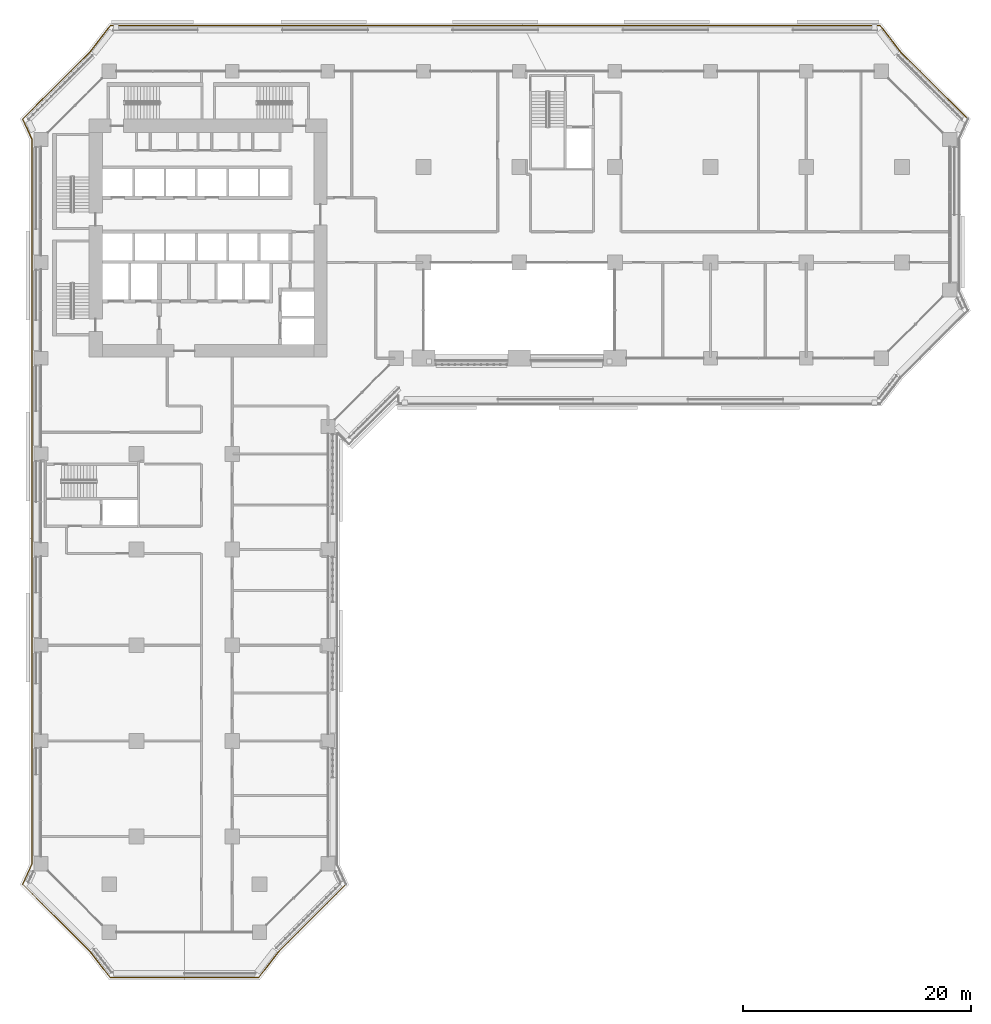
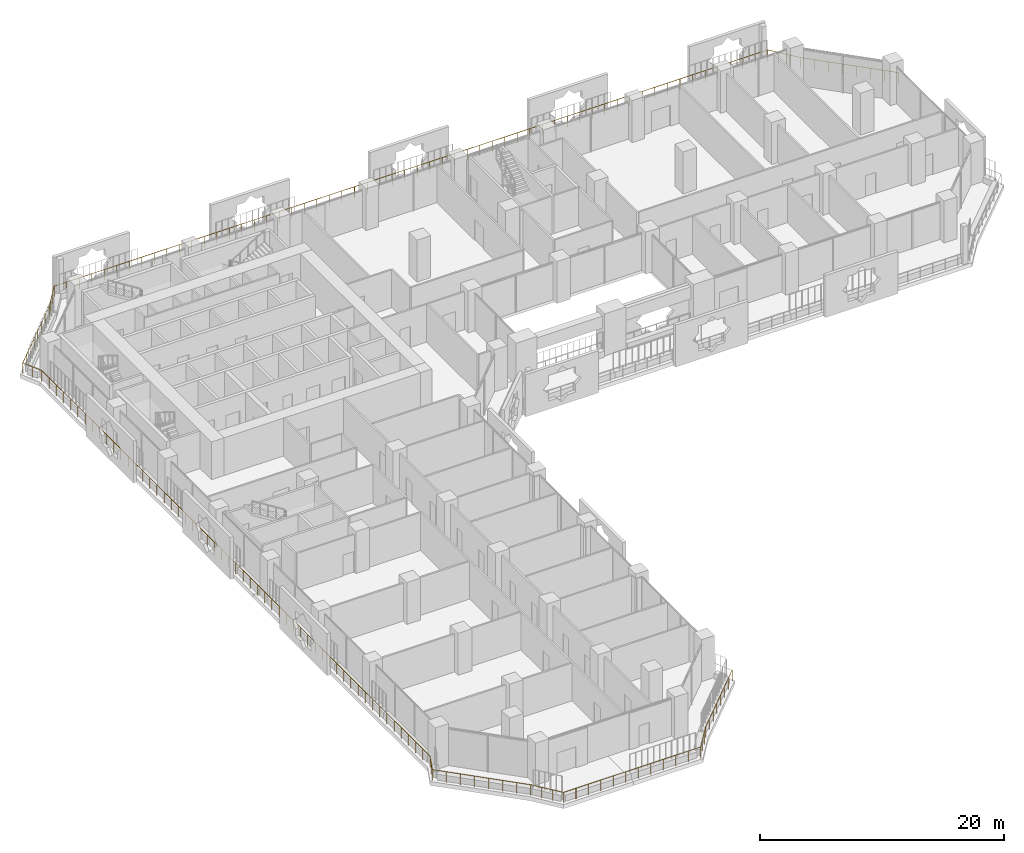
# One storey, part 23 of 28: 1 railing.
"""IFC4 building model written with IfcOpenShell, lengths in metres."""

from ifc_helpers import new_model, si_unit, direction, frame, origin, origin_2d, place, context, subcontext, project, spatial, circle, extrude, material, type_object, element, save


model = new_model("IFC4")

# Units and contexts
model_context = context("Model", 3, precision=1e-05, world=origin(), true_north=direction((0.0, 1.0)))
body_context = subcontext(model_context, "Body", "Model", "MODEL_VIEW")
ifc_project = project(units=[si_unit("LENGTHUNIT", "METRE"), si_unit("AREAUNIT", "SQUARE_METRE"), si_unit("VOLUMEUNIT", "CUBIC_METRE"), si_unit("PLANEANGLEUNIT", "RADIAN"), si_unit("MASSUNIT", "GRAM", prefix="KILO")], contexts=[model_context])

# Site, building, storey
site_placement = place(None, origin())
site = spatial("IfcSite", under=ifc_project, at=site_placement, CompositionType="ELEMENT")
building_placement = place(site_placement, origin())
building = spatial("IfcBuilding", under=site, at=building_placement, Name="Kawkab Arch Medical Tower", CompositionType="ELEMENT")
storey_placement = place(building_placement, frame((0.0, 0.0, 47.60009765625)))
storey = spatial("IfcBuildingStorey", under=building, at=storey_placement, Name="L10", CompositionType="ELEMENT", Elevation=47.60009765625)

# Railing
ifc_material = material(Name="Bronze anodised aluminium guard", Category="aluminium")
railing_type = type_object("IfcRailingType", Name="Loggia and terrace guard 1100", PredefinedType="GUARDRAIL", material=ifc_material)
railing_placement = place(storey_placement, frame((26.798095703125, -71.39501953125, 0.0)))
element("IfcRailing", 1, at=railing_placement, inside=storey, type_object=railing_type, Name="Guard L10.LOG-01.2.1", PredefinedType="GUARDRAIL", context=body_context, shape_type="SweptSolid", body=[
    extrude(circle(Radius=0.02392578125, at=origin_2d()), frame((0.0, 0.0, 1.076171875), z_axis=(-0.707121386154, -0.707092175918, 0.0), x_axis=(0.707092175918, -0.707121386154, 0.0)), (0.0, 0.0, 1.0), 8.358154296875),
    extrude(circle(Radius=0.02392578125, at=origin_2d()), frame((-5.91015625, -5.909912109375, 1.076171875), z_axis=(-0.614103336722, -0.789225627959, 0.0), x_axis=(0.789225627959, -0.614103336722, 0.0)), (0.0, 0.0, 1.0), 2.908203125),
    extrude(circle(Radius=0.02392578125, at=origin_2d()), frame((-7.696044921875, -8.205078125, 1.076171875), z_axis=(-1.0, 0.0, 0.0), x_axis=(0.0, -1.0, 0.0)), (0.0, 0.0, 1.0), 13.004150390625),
    extrude(circle(Radius=0.02392578125, at=origin_2d()), frame((-20.7001953125, -8.205078125, 1.076171875), z_axis=(-0.614103336722, 0.789225627959, 0.0), x_axis=(-0.789225627959, -0.614103336722, 0.0)), (0.0, 0.0, 1.0), 2.908203125),
    extrude(circle(Radius=0.02392578125, at=origin_2d()), frame((-22.486083984375, -5.909912109375, 1.076171875), z_axis=(-0.707106781187, 0.707106781187, 0.0), x_axis=(-0.707106781187, -0.707106781187, 0.0)), (0.0, 0.0, 1.0), 8.35791015625),
    extrude(circle(Radius=0.02392578125, at=origin_2d()), frame((-28.39599609375, 0.0, 1.076171875), z_axis=(0.414452581809, 0.910070907914, 0.0), x_axis=(-0.910070907914, 0.414452581809, 0.0)), (0.0, 0.0, 1.0), 1.925048828125),
    extrude(circle(Radius=0.02392578125, at=origin_2d()), frame((-27.59814453125, 1.751953125, 1.076171875), z_axis=(0.0, 1.0, 0.0), x_axis=(-1.0, 0.0, 0.0)), (0.0, 0.0, 1.0), 63.68603515625),
    extrude(circle(Radius=0.02392578125, at=origin_2d()), frame((-27.59814453125, 65.43798828125, 1.076171875), z_axis=(-0.414452581809, 0.910070907914, 0.0), x_axis=(-0.910070907914, -0.414452581809, 0.0)), (0.0, 0.0, 1.0), 1.925048828125),
    extrude(circle(Radius=0.02392578125, at=origin_2d()), frame((-28.39599609375, 67.18994140625, 1.076171875), z_axis=(0.707092175918, 0.707121386154, 0.0), x_axis=(-0.707121386154, 0.707092175918, 0.0)), (0.0, 0.0, 1.0), 8.358154296875),
    extrude(circle(Radius=0.02392578125, at=origin_2d()), frame((-22.486083984375, 73.10009765625, 1.076171875), z_axis=(0.614144026922, 0.789193964876, 0.0), x_axis=(-0.789193964876, 0.614144026922, 0.0)), (0.0, 0.0, 1.0), 2.907958984375),
    extrude(circle(Radius=0.02392578125, at=origin_2d()), frame((-20.7001953125, 75.39501953125, 1.076171875), z_axis=(1.0, 0.0, 0.0), x_axis=(0.0, 1.0, 0.0)), (0.0, 0.0, 1.0), 67.60400390625),
    extrude(circle(Radius=0.02392578125, at=origin_2d()), frame((46.90380859375, 75.39501953125, 1.076171875), z_axis=(0.614196313452, -0.789153273162, 0.0), x_axis=(0.789153273162, 0.614196313452, 0.0)), (0.0, 0.0, 1.0), 2.908203125),
    extrude(circle(Radius=0.02392578125, at=origin_2d()), frame((48.68994140625, 73.10009765625, 1.076171875), z_axis=(0.707092175918, -0.707121386154, 0.0), x_axis=(0.707121386154, 0.707092175918, 0.0)), (0.0, 0.0, 1.0), 8.358154296875),
    extrude(circle(Radius=0.02099609375, at=origin_2d()), origin(), (0.0, 0.0, 1.0), 1.052001953125),
    extrude(circle(Radius=0.02099609375, at=origin_2d()), frame((-0.84423828125, -0.84423828125, 0.0)), (0.0, 0.0, 1.0), 1.052001953125),
    extrude(circle(Radius=0.02099609375, at=origin_2d()), frame((-1.688720703125, -1.6884765625, 0.0)), (0.0, 0.0, 1.0), 1.052001953125),
    extrude(circle(Radius=0.02099609375, at=origin_2d()), frame((-2.532958984375, -2.53271484375, 0.0)), (0.0, 0.0, 1.0), 1.052001953125),
    extrude(circle(Radius=0.02099609375, at=origin_2d()), frame((-3.377197265625, -3.377197265625, 0.0)), (0.0, 0.0, 1.0), 1.052001953125),
    extrude(circle(Radius=0.02099609375, at=origin_2d()), frame((-4.221435546875, -4.221435546875, 0.0)), (0.0, 0.0, 1.0), 1.052001953125),
    extrude(circle(Radius=0.02099609375, at=origin_2d()), frame((-5.06591796875, -5.065673828125, 0.0)), (0.0, 0.0, 1.0), 1.052001953125),
    extrude(circle(Radius=0.02099609375, at=origin_2d()), frame((-5.91015625, -5.909912109375, 0.0)), (0.0, 0.0, 1.0), 1.052001953125),
    extrude(circle(Radius=0.02099609375, at=origin_2d()), frame((-6.50537109375, -6.675048828125, 0.0)), (0.0, 0.0, 1.0), 1.052001953125),
    extrude(circle(Radius=0.02099609375, at=origin_2d()), frame((-7.100830078125, -7.43994140625, 0.0)), (0.0, 0.0, 1.0), 1.052001953125),
    extrude(circle(Radius=0.02099609375, at=origin_2d()), frame((-7.696044921875, -8.205078125, 0.0)), (0.0, 0.0, 1.0), 1.052001953125),
    extrude(circle(Radius=0.02099609375, at=origin_2d()), frame((-8.878173828125, -8.205078125, 0.0)), (0.0, 0.0, 1.0), 1.052001953125),
    extrude(circle(Radius=0.02099609375, at=origin_2d()), frame((-10.060546875, -8.205078125, 0.0)), (0.0, 0.0, 1.0), 1.052001953125),
    extrude(circle(Radius=0.02099609375, at=origin_2d()), frame((-11.24267578125, -8.205078125, 0.0)), (0.0, 0.0, 1.0), 1.052001953125),
    extrude(circle(Radius=0.02099609375, at=origin_2d()), frame((-12.4248046875, -8.205078125, 0.0)), (0.0, 0.0, 1.0), 1.052001953125),
    extrude(circle(Radius=0.02099609375, at=origin_2d()), frame((-13.60693359375, -8.205078125, 0.0)), (0.0, 0.0, 1.0), 1.052001953125),
    extrude(circle(Radius=0.02099609375, at=origin_2d()), frame((-14.789306640625, -8.205078125, 0.0)), (0.0, 0.0, 1.0), 1.052001953125),
    extrude(circle(Radius=0.02099609375, at=origin_2d()), frame((-15.971435546875, -8.205078125, 0.0)), (0.0, 0.0, 1.0), 1.052001953125),
    extrude(circle(Radius=0.02099609375, at=origin_2d()), frame((-17.153564453125, -8.205078125, 0.0)), (0.0, 0.0, 1.0), 1.052001953125),
    extrude(circle(Radius=0.02099609375, at=origin_2d()), frame((-18.335693359375, -8.205078125, 0.0)), (0.0, 0.0, 1.0), 1.052001953125),
    extrude(circle(Radius=0.02099609375, at=origin_2d()), frame((-19.51806640625, -8.205078125, 0.0)), (0.0, 0.0, 1.0), 1.052001953125),
    extrude(circle(Radius=0.02099609375, at=origin_2d()), frame((-20.7001953125, -8.205078125, 0.0)), (0.0, 0.0, 1.0), 1.052001953125),
    extrude(circle(Radius=0.02099609375, at=origin_2d()), frame((-21.29541015625, -7.43994140625, 0.0)), (0.0, 0.0, 1.0), 1.052001953125),
    extrude(circle(Radius=0.02099609375, at=origin_2d()), frame((-21.890869140625, -6.675048828125, 0.0)), (0.0, 0.0, 1.0), 1.052001953125),
    extrude(circle(Radius=0.02099609375, at=origin_2d()), frame((-22.486083984375, -5.909912109375, 0.0)), (0.0, 0.0, 1.0), 1.052001953125),
    extrude(circle(Radius=0.02099609375, at=origin_2d()), frame((-23.330322265625, -5.065673828125, 0.0)), (0.0, 0.0, 1.0), 1.052001953125),
    extrude(circle(Radius=0.02099609375, at=origin_2d()), frame((-24.174560546875, -4.221435546875, 0.0)), (0.0, 0.0, 1.0), 1.052001953125),
    extrude(circle(Radius=0.02099609375, at=origin_2d()), frame((-25.018798828125, -3.377197265625, 0.0)), (0.0, 0.0, 1.0), 1.052001953125),
    extrude(circle(Radius=0.02099609375, at=origin_2d()), frame((-25.86328125, -2.53271484375, 0.0)), (0.0, 0.0, 1.0), 1.052001953125),
    extrude(circle(Radius=0.02099609375, at=origin_2d()), frame((-26.70751953125, -1.6884765625, 0.0)), (0.0, 0.0, 1.0), 1.052001953125),
    extrude(circle(Radius=0.02099609375, at=origin_2d()), frame((-27.5517578125, -0.84423828125, 0.0)), (0.0, 0.0, 1.0), 1.052001953125),
    extrude(circle(Radius=0.02099609375, at=origin_2d()), frame((-28.39599609375, 0.0, 0.0)), (0.0, 0.0, 1.0), 1.052001953125),
    extrude(circle(Radius=0.02099609375, at=origin_2d()), frame((-27.9970703125, 0.8759765625, 0.0)), (0.0, 0.0, 1.0), 1.052001953125),
    extrude(circle(Radius=0.02099609375, at=origin_2d()), frame((-27.59814453125, 1.751953125, 0.0)), (0.0, 0.0, 1.0), 1.052001953125),
    extrude(circle(Radius=0.02099609375, at=origin_2d()), frame((-27.59814453125, 2.931396484375, 0.0)), (0.0, 0.0, 1.0), 1.052001953125),
    extrude(circle(Radius=0.02099609375, at=origin_2d()), frame((-27.59814453125, 4.110595703125, 0.0)), (0.0, 0.0, 1.0), 1.052001953125),
    extrude(circle(Radius=0.02099609375, at=origin_2d()), frame((-27.59814453125, 5.2900390625, 0.0)), (0.0, 0.0, 1.0), 1.052001953125),
    extrude(circle(Radius=0.02099609375, at=origin_2d()), frame((-27.59814453125, 6.469482421875, 0.0)), (0.0, 0.0, 1.0), 1.052001953125),
    extrude(circle(Radius=0.02099609375, at=origin_2d()), frame((-27.59814453125, 7.64892578125, 0.0)), (0.0, 0.0, 1.0), 1.052001953125),
    extrude(circle(Radius=0.02099609375, at=origin_2d()), frame((-27.59814453125, 8.828125, 0.0)), (0.0, 0.0, 1.0), 1.052001953125),
    extrude(circle(Radius=0.02099609375, at=origin_2d()), frame((-27.59814453125, 10.007568359375, 0.0)), (0.0, 0.0, 1.0), 1.052001953125),
    extrude(circle(Radius=0.02099609375, at=origin_2d()), frame((-27.59814453125, 11.18701171875, 0.0)), (0.0, 0.0, 1.0), 1.052001953125),
    extrude(circle(Radius=0.02099609375, at=origin_2d()), frame((-27.59814453125, 12.3662109375, 0.0)), (0.0, 0.0, 1.0), 1.052001953125),
    extrude(circle(Radius=0.02099609375, at=origin_2d()), frame((-27.59814453125, 13.545654296875, 0.0)), (0.0, 0.0, 1.0), 1.052001953125),
    extrude(circle(Radius=0.02099609375, at=origin_2d()), frame((-27.59814453125, 14.72509765625, 0.0)), (0.0, 0.0, 1.0), 1.052001953125),
    extrude(circle(Radius=0.02099609375, at=origin_2d()), frame((-27.59814453125, 15.904296875, 0.0)), (0.0, 0.0, 1.0), 1.052001953125),
    extrude(circle(Radius=0.02099609375, at=origin_2d()), frame((-27.59814453125, 17.083740234375, 0.0)), (0.0, 0.0, 1.0), 1.052001953125),
    extrude(circle(Radius=0.02099609375, at=origin_2d()), frame((-27.59814453125, 18.26318359375, 0.0)), (0.0, 0.0, 1.0), 1.052001953125),
    extrude(circle(Radius=0.02099609375, at=origin_2d()), frame((-27.59814453125, 19.442626953125, 0.0)), (0.0, 0.0, 1.0), 1.052001953125),
    extrude(circle(Radius=0.02099609375, at=origin_2d()), frame((-27.59814453125, 20.621826171875, 0.0)), (0.0, 0.0, 1.0), 1.052001953125),
    extrude(circle(Radius=0.02099609375, at=origin_2d()), frame((-27.59814453125, 21.80126953125, 0.0)), (0.0, 0.0, 1.0), 1.052001953125),
    extrude(circle(Radius=0.02099609375, at=origin_2d()), frame((-27.59814453125, 22.980712890625, 0.0)), (0.0, 0.0, 1.0), 1.052001953125),
    extrude(circle(Radius=0.02099609375, at=origin_2d()), frame((-27.59814453125, 24.159912109375, 0.0)), (0.0, 0.0, 1.0), 1.052001953125),
    extrude(circle(Radius=0.02099609375, at=origin_2d()), frame((-27.59814453125, 25.33935546875, 0.0)), (0.0, 0.0, 1.0), 1.052001953125),
    extrude(circle(Radius=0.02099609375, at=origin_2d()), frame((-27.59814453125, 26.518798828125, 0.0)), (0.0, 0.0, 1.0), 1.052001953125),
    extrude(circle(Radius=0.02099609375, at=origin_2d()), frame((-27.59814453125, 27.697998046875, 0.0)), (0.0, 0.0, 1.0), 1.052001953125),
    extrude(circle(Radius=0.02099609375, at=origin_2d()), frame((-27.59814453125, 28.87744140625, 0.0)), (0.0, 0.0, 1.0), 1.052001953125),
    extrude(circle(Radius=0.02099609375, at=origin_2d()), frame((-27.59814453125, 30.056884765625, 0.0)), (0.0, 0.0, 1.0), 1.052001953125),
    extrude(circle(Radius=0.02099609375, at=origin_2d()), frame((-27.59814453125, 31.236328125, 0.0)), (0.0, 0.0, 1.0), 1.052001953125),
    extrude(circle(Radius=0.02099609375, at=origin_2d()), frame((-27.59814453125, 32.41552734375, 0.0)), (0.0, 0.0, 1.0), 1.052001953125),
    extrude(circle(Radius=0.02099609375, at=origin_2d()), frame((-27.59814453125, 33.594970703125, 0.0)), (0.0, 0.0, 1.0), 1.052001953125),
    extrude(circle(Radius=0.02099609375, at=origin_2d()), frame((-27.59814453125, 34.7744140625, 0.0)), (0.0, 0.0, 1.0), 1.052001953125),
    extrude(circle(Radius=0.02099609375, at=origin_2d()), frame((-27.59814453125, 35.95361328125, 0.0)), (0.0, 0.0, 1.0), 1.052001953125),
    extrude(circle(Radius=0.02099609375, at=origin_2d()), frame((-27.59814453125, 37.133056640625, 0.0)), (0.0, 0.0, 1.0), 1.052001953125),
    extrude(circle(Radius=0.02099609375, at=origin_2d()), frame((-27.59814453125, 38.3125, 0.0)), (0.0, 0.0, 1.0), 1.052001953125),
    extrude(circle(Radius=0.02099609375, at=origin_2d()), frame((-27.59814453125, 39.491943359375, 0.0)), (0.0, 0.0, 1.0), 1.052001953125),
    extrude(circle(Radius=0.02099609375, at=origin_2d()), frame((-27.59814453125, 40.671142578125, 0.0)), (0.0, 0.0, 1.0), 1.052001953125),
    extrude(circle(Radius=0.02099609375, at=origin_2d()), frame((-27.59814453125, 41.8505859375, 0.0)), (0.0, 0.0, 1.0), 1.052001953125),
    extrude(circle(Radius=0.02099609375, at=origin_2d()), frame((-27.59814453125, 43.030029296875, 0.0)), (0.0, 0.0, 1.0), 1.052001953125),
    extrude(circle(Radius=0.02099609375, at=origin_2d()), frame((-27.59814453125, 44.209228515625, 0.0)), (0.0, 0.0, 1.0), 1.052001953125),
    extrude(circle(Radius=0.02099609375, at=origin_2d()), frame((-27.59814453125, 45.388671875, 0.0)), (0.0, 0.0, 1.0), 1.052001953125),
    extrude(circle(Radius=0.02099609375, at=origin_2d()), frame((-27.59814453125, 46.568115234375, 0.0)), (0.0, 0.0, 1.0), 1.052001953125),
    extrude(circle(Radius=0.02099609375, at=origin_2d()), frame((-27.59814453125, 47.747314453125, 0.0)), (0.0, 0.0, 1.0), 1.052001953125),
    extrude(circle(Radius=0.02099609375, at=origin_2d()), frame((-27.59814453125, 48.9267578125, 0.0)), (0.0, 0.0, 1.0), 1.052001953125),
    extrude(circle(Radius=0.02099609375, at=origin_2d()), frame((-27.59814453125, 50.106201171875, 0.0)), (0.0, 0.0, 1.0), 1.052001953125),
    extrude(circle(Radius=0.02099609375, at=origin_2d()), frame((-27.59814453125, 51.28564453125, 0.0)), (0.0, 0.0, 1.0), 1.052001953125),
    extrude(circle(Radius=0.02099609375, at=origin_2d()), frame((-27.59814453125, 52.46484375, 0.0)), (0.0, 0.0, 1.0), 1.052001953125),
    extrude(circle(Radius=0.02099609375, at=origin_2d()), frame((-27.59814453125, 53.644287109375, 0.0)), (0.0, 0.0, 1.0), 1.052001953125),
    extrude(circle(Radius=0.02099609375, at=origin_2d()), frame((-27.59814453125, 54.82373046875, 0.0)), (0.0, 0.0, 1.0), 1.052001953125),
    extrude(circle(Radius=0.02099609375, at=origin_2d()), frame((-27.59814453125, 56.0029296875, 0.0)), (0.0, 0.0, 1.0), 1.052001953125),
    extrude(circle(Radius=0.02099609375, at=origin_2d()), frame((-27.59814453125, 57.182373046875, 0.0)), (0.0, 0.0, 1.0), 1.052001953125),
    extrude(circle(Radius=0.02099609375, at=origin_2d()), frame((-27.59814453125, 58.36181640625, 0.0)), (0.0, 0.0, 1.0), 1.052001953125),
    extrude(circle(Radius=0.02099609375, at=origin_2d()), frame((-27.59814453125, 59.541015625, 0.0)), (0.0, 0.0, 1.0), 1.052001953125),
    extrude(circle(Radius=0.02099609375, at=origin_2d()), frame((-27.59814453125, 60.720458984375, 0.0)), (0.0, 0.0, 1.0), 1.052001953125),
    extrude(circle(Radius=0.02099609375, at=origin_2d()), frame((-27.59814453125, 61.89990234375, 0.0)), (0.0, 0.0, 1.0), 1.052001953125),
    extrude(circle(Radius=0.02099609375, at=origin_2d()), frame((-27.59814453125, 63.079345703125, 0.0)), (0.0, 0.0, 1.0), 1.052001953125),
    extrude(circle(Radius=0.02099609375, at=origin_2d()), frame((-27.59814453125, 64.258544921875, 0.0)), (0.0, 0.0, 1.0), 1.052001953125),
    extrude(circle(Radius=0.02099609375, at=origin_2d()), frame((-27.59814453125, 65.43798828125, 0.0)), (0.0, 0.0, 1.0), 1.052001953125),
    extrude(circle(Radius=0.02099609375, at=origin_2d()), frame((-27.9970703125, 66.31396484375, 0.0)), (0.0, 0.0, 1.0), 1.052001953125),
    extrude(circle(Radius=0.02099609375, at=origin_2d()), frame((-28.39599609375, 67.18994140625, 0.0)), (0.0, 0.0, 1.0), 1.052001953125),
    extrude(circle(Radius=0.02099609375, at=origin_2d()), frame((-27.5517578125, 68.0341796875, 0.0)), (0.0, 0.0, 1.0), 1.052001953125),
    extrude(circle(Radius=0.02099609375, at=origin_2d()), frame((-26.70751953125, 68.878662109375, 0.0)), (0.0, 0.0, 1.0), 1.052001953125),
    extrude(circle(Radius=0.02099609375, at=origin_2d()), frame((-25.86328125, 69.722900390625, 0.0)), (0.0, 0.0, 1.0), 1.052001953125),
    extrude(circle(Radius=0.02099609375, at=origin_2d()), frame((-25.018798828125, 70.567138671875, 0.0)), (0.0, 0.0, 1.0), 1.052001953125),
    extrude(circle(Radius=0.02099609375, at=origin_2d()), frame((-24.174560546875, 71.411376953125, 0.0)), (0.0, 0.0, 1.0), 1.052001953125),
    extrude(circle(Radius=0.02099609375, at=origin_2d()), frame((-23.330322265625, 72.255859375, 0.0)), (0.0, 0.0, 1.0), 1.052001953125),
    extrude(circle(Radius=0.02099609375, at=origin_2d()), frame((-22.486083984375, 73.10009765625, 0.0)), (0.0, 0.0, 1.0), 1.052001953125),
    extrude(circle(Radius=0.02099609375, at=origin_2d()), frame((-21.890869140625, 73.864990234375, 0.0)), (0.0, 0.0, 1.0), 1.052001953125),
    extrude(circle(Radius=0.02099609375, at=origin_2d()), frame((-21.29541015625, 74.630126953125, 0.0)), (0.0, 0.0, 1.0), 1.052001953125),
    extrude(circle(Radius=0.02099609375, at=origin_2d()), frame((-20.7001953125, 75.39501953125, 0.0)), (0.0, 0.0, 1.0), 1.052001953125),
    extrude(circle(Radius=0.02099609375, at=origin_2d()), frame((-19.51416015625, 75.39501953125, 0.0)), (0.0, 0.0, 1.0), 1.052001953125),
    extrude(circle(Radius=0.02099609375, at=origin_2d()), frame((-18.328125, 75.39501953125, 0.0)), (0.0, 0.0, 1.0), 1.052001953125),
    extrude(circle(Radius=0.02099609375, at=origin_2d()), frame((-17.14208984375, 75.39501953125, 0.0)), (0.0, 0.0, 1.0), 1.052001953125),
    extrude(circle(Radius=0.02099609375, at=origin_2d()), frame((-15.9560546875, 75.39501953125, 0.0)), (0.0, 0.0, 1.0), 1.052001953125),
    extrude(circle(Radius=0.02099609375, at=origin_2d()), frame((-14.77001953125, 75.39501953125, 0.0)), (0.0, 0.0, 1.0), 1.052001953125),
    extrude(circle(Radius=0.02099609375, at=origin_2d()), frame((-13.583984375, 75.39501953125, 0.0)), (0.0, 0.0, 1.0), 1.052001953125),
    extrude(circle(Radius=0.02099609375, at=origin_2d()), frame((-12.39794921875, 75.39501953125, 0.0)), (0.0, 0.0, 1.0), 1.052001953125),
    extrude(circle(Radius=0.02099609375, at=origin_2d()), frame((-11.2119140625, 75.39501953125, 0.0)), (0.0, 0.0, 1.0), 1.052001953125),
    extrude(circle(Radius=0.02099609375, at=origin_2d()), frame((-10.02587890625, 75.39501953125, 0.0)), (0.0, 0.0, 1.0), 1.052001953125),
    extrude(circle(Radius=0.02099609375, at=origin_2d()), frame((-8.83984375, 75.39501953125, 0.0)), (0.0, 0.0, 1.0), 1.052001953125),
    extrude(circle(Radius=0.02099609375, at=origin_2d()), frame((-7.65380859375, 75.39501953125, 0.0)), (0.0, 0.0, 1.0), 1.052001953125),
    extrude(circle(Radius=0.02099609375, at=origin_2d()), frame((-6.4677734375, 75.39501953125, 0.0)), (0.0, 0.0, 1.0), 1.052001953125),
    extrude(circle(Radius=0.02099609375, at=origin_2d()), frame((-5.28173828125, 75.39501953125, 0.0)), (0.0, 0.0, 1.0), 1.052001953125),
    extrude(circle(Radius=0.02099609375, at=origin_2d()), frame((-4.095703125, 75.39501953125, 0.0)), (0.0, 0.0, 1.0), 1.052001953125),
    extrude(circle(Radius=0.02099609375, at=origin_2d()), frame((-2.90966796875, 75.39501953125, 0.0)), (0.0, 0.0, 1.0), 1.052001953125),
    extrude(circle(Radius=0.02099609375, at=origin_2d()), frame((-1.7236328125, 75.39501953125, 0.0)), (0.0, 0.0, 1.0), 1.052001953125),
    extrude(circle(Radius=0.02099609375, at=origin_2d()), frame((-0.53759765625, 75.39501953125, 0.0)), (0.0, 0.0, 1.0), 1.052001953125),
    extrude(circle(Radius=0.02099609375, at=origin_2d()), frame((0.6484375, 75.39501953125, 0.0)), (0.0, 0.0, 1.0), 1.052001953125),
    extrude(circle(Radius=0.02099609375, at=origin_2d()), frame((1.83447265625, 75.39501953125, 0.0)), (0.0, 0.0, 1.0), 1.052001953125),
    extrude(circle(Radius=0.02099609375, at=origin_2d()), frame((3.0205078125, 75.39501953125, 0.0)), (0.0, 0.0, 1.0), 1.052001953125),
    extrude(circle(Radius=0.02099609375, at=origin_2d()), frame((4.20654296875, 75.39501953125, 0.0)), (0.0, 0.0, 1.0), 1.052001953125),
    extrude(circle(Radius=0.02099609375, at=origin_2d()), frame((5.392578125, 75.39501953125, 0.0)), (0.0, 0.0, 1.0), 1.052001953125),
    extrude(circle(Radius=0.02099609375, at=origin_2d()), frame((6.57861328125, 75.39501953125, 0.0)), (0.0, 0.0, 1.0), 1.052001953125),
    extrude(circle(Radius=0.02099609375, at=origin_2d()), frame((7.7646484375, 75.39501953125, 0.0)), (0.0, 0.0, 1.0), 1.052001953125),
    extrude(circle(Radius=0.02099609375, at=origin_2d()), frame((8.95068359375, 75.39501953125, 0.0)), (0.0, 0.0, 1.0), 1.052001953125),
    extrude(circle(Radius=0.02099609375, at=origin_2d()), frame((10.13671875, 75.39501953125, 0.0)), (0.0, 0.0, 1.0), 1.052001953125),
    extrude(circle(Radius=0.02099609375, at=origin_2d()), frame((11.32275390625, 75.39501953125, 0.0)), (0.0, 0.0, 1.0), 1.052001953125),
    extrude(circle(Radius=0.02099609375, at=origin_2d()), frame((12.5087890625, 75.39501953125, 0.0)), (0.0, 0.0, 1.0), 1.052001953125),
    extrude(circle(Radius=0.02099609375, at=origin_2d()), frame((13.69482421875, 75.39501953125, 0.0)), (0.0, 0.0, 1.0), 1.052001953125),
    extrude(circle(Radius=0.02099609375, at=origin_2d()), frame((14.880859375, 75.39501953125, 0.0)), (0.0, 0.0, 1.0), 1.052001953125),
    extrude(circle(Radius=0.02099609375, at=origin_2d()), frame((16.06689453125, 75.39501953125, 0.0)), (0.0, 0.0, 1.0), 1.052001953125),
    extrude(circle(Radius=0.02099609375, at=origin_2d()), frame((17.2529296875, 75.39501953125, 0.0)), (0.0, 0.0, 1.0), 1.052001953125),
    extrude(circle(Radius=0.02099609375, at=origin_2d()), frame((18.43896484375, 75.39501953125, 0.0)), (0.0, 0.0, 1.0), 1.052001953125),
    extrude(circle(Radius=0.02099609375, at=origin_2d()), frame((19.625, 75.39501953125, 0.0)), (0.0, 0.0, 1.0), 1.052001953125),
    extrude(circle(Radius=0.02099609375, at=origin_2d()), frame((20.81103515625, 75.39501953125, 0.0)), (0.0, 0.0, 1.0), 1.052001953125),
    extrude(circle(Radius=0.02099609375, at=origin_2d()), frame((21.9970703125, 75.39501953125, 0.0)), (0.0, 0.0, 1.0), 1.052001953125),
    extrude(circle(Radius=0.02099609375, at=origin_2d()), frame((23.18310546875, 75.39501953125, 0.0)), (0.0, 0.0, 1.0), 1.052001953125),
    extrude(circle(Radius=0.02099609375, at=origin_2d()), frame((24.369140625, 75.39501953125, 0.0)), (0.0, 0.0, 1.0), 1.052001953125),
    extrude(circle(Radius=0.02099609375, at=origin_2d()), frame((25.55517578125, 75.39501953125, 0.0)), (0.0, 0.0, 1.0), 1.052001953125),
    extrude(circle(Radius=0.02099609375, at=origin_2d()), frame((26.7412109375, 75.39501953125, 0.0)), (0.0, 0.0, 1.0), 1.052001953125),
    extrude(circle(Radius=0.02099609375, at=origin_2d()), frame((27.92724609375, 75.39501953125, 0.0)), (0.0, 0.0, 1.0), 1.052001953125),
    extrude(circle(Radius=0.02099609375, at=origin_2d()), frame((29.11328125, 75.39501953125, 0.0)), (0.0, 0.0, 1.0), 1.052001953125),
    extrude(circle(Radius=0.02099609375, at=origin_2d()), frame((30.29931640625, 75.39501953125, 0.0)), (0.0, 0.0, 1.0), 1.052001953125),
    extrude(circle(Radius=0.02099609375, at=origin_2d()), frame((31.4853515625, 75.39501953125, 0.0)), (0.0, 0.0, 1.0), 1.052001953125),
    extrude(circle(Radius=0.02099609375, at=origin_2d()), frame((32.67138671875, 75.39501953125, 0.0)), (0.0, 0.0, 1.0), 1.052001953125),
    extrude(circle(Radius=0.02099609375, at=origin_2d()), frame((33.857421875, 75.39501953125, 0.0)), (0.0, 0.0, 1.0), 1.052001953125),
    extrude(circle(Radius=0.02099609375, at=origin_2d()), frame((35.04345703125, 75.39501953125, 0.0)), (0.0, 0.0, 1.0), 1.052001953125),
    extrude(circle(Radius=0.02099609375, at=origin_2d()), frame((36.2294921875, 75.39501953125, 0.0)), (0.0, 0.0, 1.0), 1.052001953125),
    extrude(circle(Radius=0.02099609375, at=origin_2d()), frame((37.41552734375, 75.39501953125, 0.0)), (0.0, 0.0, 1.0), 1.052001953125),
    extrude(circle(Radius=0.02099609375, at=origin_2d()), frame((38.6015625, 75.39501953125, 0.0)), (0.0, 0.0, 1.0), 1.052001953125),
    extrude(circle(Radius=0.02099609375, at=origin_2d()), frame((39.78759765625, 75.39501953125, 0.0)), (0.0, 0.0, 1.0), 1.052001953125),
    extrude(circle(Radius=0.02099609375, at=origin_2d()), frame((40.9736328125, 75.39501953125, 0.0)), (0.0, 0.0, 1.0), 1.052001953125),
    extrude(circle(Radius=0.02099609375, at=origin_2d()), frame((42.15966796875, 75.39501953125, 0.0)), (0.0, 0.0, 1.0), 1.052001953125),
    extrude(circle(Radius=0.02099609375, at=origin_2d()), frame((43.345703125, 75.39501953125, 0.0)), (0.0, 0.0, 1.0), 1.052001953125),
    extrude(circle(Radius=0.02099609375, at=origin_2d()), frame((44.53173828125, 75.39501953125, 0.0)), (0.0, 0.0, 1.0), 1.052001953125),
    extrude(circle(Radius=0.02099609375, at=origin_2d()), frame((45.7177734375, 75.39501953125, 0.0)), (0.0, 0.0, 1.0), 1.052001953125),
    extrude(circle(Radius=0.02099609375, at=origin_2d()), frame((46.90380859375, 75.39501953125, 0.0)), (0.0, 0.0, 1.0), 1.052001953125),
    extrude(circle(Radius=0.02099609375, at=origin_2d()), frame((47.499267578125, 74.630126953125, 0.0)), (0.0, 0.0, 1.0), 1.052001953125),
    extrude(circle(Radius=0.02099609375, at=origin_2d()), frame((48.094482421875, 73.864990234375, 0.0)), (0.0, 0.0, 1.0), 1.052001953125),
    extrude(circle(Radius=0.02099609375, at=origin_2d()), frame((48.68994140625, 73.10009765625, 0.0)), (0.0, 0.0, 1.0), 1.052001953125),
    extrude(circle(Radius=0.02099609375, at=origin_2d()), frame((49.5341796875, 72.255859375, 0.0)), (0.0, 0.0, 1.0), 1.052001953125),
    extrude(circle(Radius=0.02099609375, at=origin_2d()), frame((50.37841796875, 71.411376953125, 0.0)), (0.0, 0.0, 1.0), 1.052001953125),
    extrude(circle(Radius=0.02099609375, at=origin_2d()), frame((51.22265625, 70.567138671875, 0.0)), (0.0, 0.0, 1.0), 1.052001953125),
    extrude(circle(Radius=0.02099609375, at=origin_2d()), frame((52.067138671875, 69.722900390625, 0.0)), (0.0, 0.0, 1.0), 1.052001953125),
    extrude(circle(Radius=0.02099609375, at=origin_2d()), frame((52.911376953125, 68.878662109375, 0.0)), (0.0, 0.0, 1.0), 1.052001953125),
    extrude(circle(Radius=0.02099609375, at=origin_2d()), frame((53.755615234375, 68.0341796875, 0.0)), (0.0, 0.0, 1.0), 1.052001953125),
    extrude(circle(Radius=0.02099609375, at=origin_2d()), frame((54.599853515625, 67.18994140625, 0.0)), (0.0, 0.0, 1.0), 1.052001953125),
])

save(model, "model.ifc")
